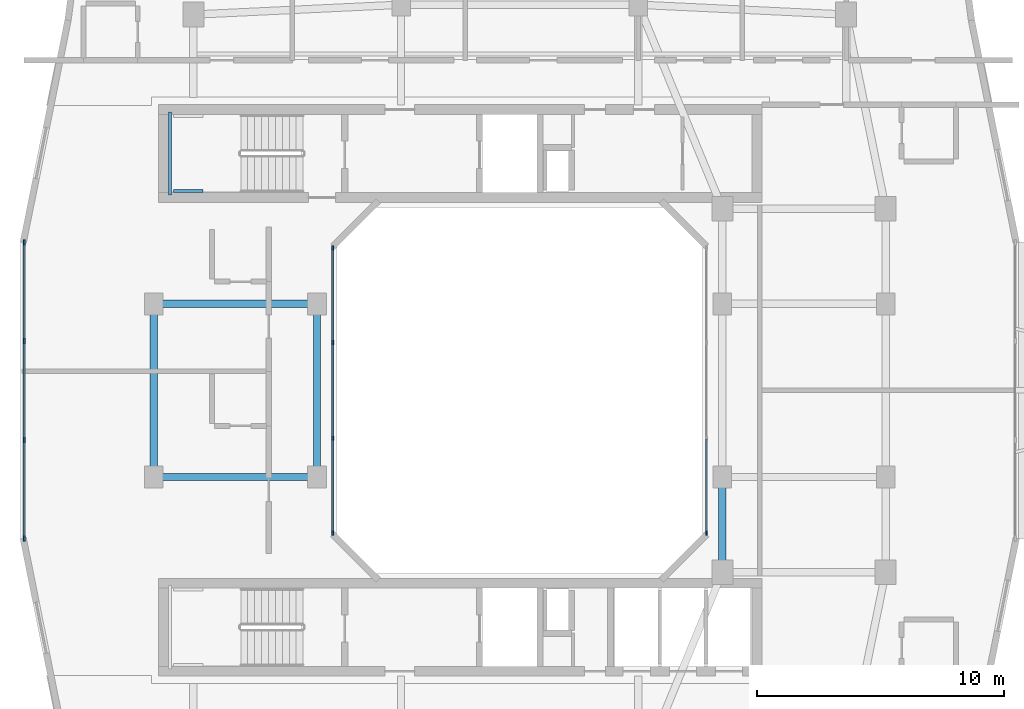
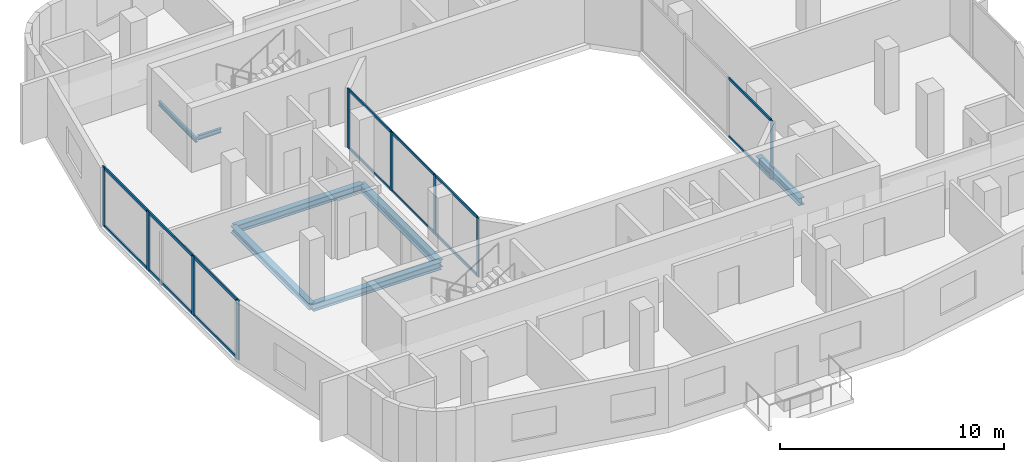
# One storey, part 2 of 12: 23 members, 7 beams, 3 elements without a shape of their own.
"""IFC4 building model written with IfcOpenShell, lengths in metres."""

from ifc_helpers import new_model, si_unit, derived_unit, direction, frame, origin, origin_2d, place, context, subcontext, project, spatial, rectangle, i_section, extrude, material, layer, layer_set, material_profile, profile_set, type_object, element, aggregate, save


model = new_model("IFC4")

# Units and contexts
model_context = context("Model", 3, precision=1e-05, world=origin(), true_north=direction((0.0, 1.0)))
body_context = subcontext(model_context, "Body", "Model", "MODEL_VIEW")
ifc_project = project(units=[si_unit("LENGTHUNIT", "METRE"), si_unit("AREAUNIT", "SQUARE_METRE"), si_unit("VOLUMEUNIT", "CUBIC_METRE"), si_unit("PLANEANGLEUNIT", "RADIAN"), si_unit("MASSUNIT", "GRAM", prefix="KILO"), derived_unit("THERMALTRANSMITTANCEUNIT", [(si_unit("POWERUNIT", "WATT"), 1), (si_unit("LENGTHUNIT", "METRE"), -2), (si_unit("THERMODYNAMICTEMPERATUREUNIT", "KELVIN"), -1)])], contexts=[model_context])

# Site, building, storey
site_placement = place(None, origin())
site = spatial("IfcSite", under=ifc_project, at=site_placement, CompositionType="ELEMENT")
building_placement = place(site_placement, origin())
building = spatial("IfcBuilding", under=site, at=building_placement, Name="Kivonza Crest Hotel", CompositionType="ELEMENT")
storey_placement = place(building_placement, frame((0.0, 0.0, 166.0)))
storey = spatial("IfcBuildingStorey", under=building, at=storey_placement, Name="L45", CompositionType="ELEMENT", Elevation=166.0)

# Beams
ifc_material_1 = material(Name="Steel S355", Category="steel")
ifc_material_profile_1 = material_profile(ifc_material_1, i_section(OverallWidth=0.300048828125, OverallDepth=0.360107421875, WebThickness=0.012451171875, FlangeThickness=0.0224609375, FilletRadius=0.027099609375, at=origin_2d()), Name="HEB 360")
ifc_profile_set_1 = profile_set([ifc_material_profile_1], Name="Steel S355")
beam_type_1 = type_object("IfcBeamType", Name="BM-HEB360", PredefinedType="SPANDREL", material=ifc_profile_set_1)
beam_1_placement = place(storey_placement, frame((6.199951171875, 28.5, -0.4599609375), z_axis=(0.0, -1.0, 0.0), x_axis=(1.0, 0.0, 0.0)))
element("IfcBeam", 1, at=beam_1_placement, inside=storey, type_object=beam_type_1, Name="Tower T1 L45 perimeter spandrel W2-W1", PredefinedType="SPANDREL", context=body_context, shape_type="SweptSolid", body=[
    extrude(i_section(OverallWidth=0.300048828125, OverallDepth=0.360107421875, WebThickness=0.012451171875, FlangeThickness=0.0224609375, FilletRadius=0.027099609375, at=origin_2d()), origin(), (0.0, 0.0, 1.0), 7.0),
])
ifc_material_profile_2 = material_profile(ifc_material_1, i_section(OverallWidth=0.300048828125, OverallDepth=0.39990234375, WebThickness=0.013427734375, FlangeThickness=0.02392578125, FilletRadius=0.027099609375, at=origin_2d()), Name="HEB 400")
ifc_profile_set_2 = profile_set([ifc_material_profile_2], Name="Steel S355")
beam_type_2 = type_object("IfcBeamType", Name="BM-HEB400", PredefinedType="BEAM", material=ifc_profile_set_2)
for number, where, z_axis, x_axis, name in (
    (2, (6.199951171875, 21.5, -0.47998046875), (1.0, 0.0, 0.0), (0.0, 1.0, 0.0), "Tower T1 L45 primary girder W1-WL1"),
    (3, (6.199951171875, 28.5, -0.47998046875), (1.0, 0.0, 0.0), (0.0, 1.0, 0.0), "Tower T1 L45 primary girder W2-WL2"),
):
    element("IfcBeam", number, at=place(storey_placement, frame(where, z_axis=z_axis, x_axis=x_axis)), inside=storey, type_object=beam_type_2, Name=name, PredefinedType="BEAM", context=body_context, shape_type="SweptSolid", body=[
        extrude(i_section(OverallWidth=0.300048828125, OverallDepth=0.39990234375, WebThickness=0.013427734375, FlangeThickness=0.02392578125, FilletRadius=0.027099609375, at=origin_2d()), origin(), (0.0, 0.0, 1.0), 6.60009765625),
    ])
beam_2_placement = place(storey_placement, frame((12.800048828125, 21.5, -0.47998046875), z_axis=(0.0, 1.0, 0.0), x_axis=(-1.0, 0.0, 0.0)))
element("IfcBeam", 4, at=beam_2_placement, inside=storey, type_object=beam_type_2, Name="Tower T1 L45 primary girder WL1-WL2", PredefinedType="BEAM", context=body_context, shape_type="SweptSolid", body=[
    extrude(i_section(OverallWidth=0.300048828125, OverallDepth=0.39990234375, WebThickness=0.013427734375, FlangeThickness=0.02392578125, FilletRadius=0.027099609375, at=origin_2d()), origin(), (0.0, 0.0, 1.0), 7.0),
])
beam_3_placement = place(storey_placement, frame((29.199951171875, 17.64990234375, -0.47998046875), z_axis=(0.0, 1.0, 0.0), x_axis=(-1.0, 0.0, 0.0)))
element("IfcBeam", 5, at=beam_3_placement, inside=storey, type_object=beam_type_2, Name="Tower T1 L45 primary girder TSE-WR1", PredefinedType="BEAM", context=body_context, shape_type="SweptSolid", body=[
    extrude(i_section(OverallWidth=0.300048828125, OverallDepth=0.39990234375, WebThickness=0.013427734375, FlangeThickness=0.02392578125, FilletRadius=0.027099609375, at=origin_2d()), origin(), (0.0, 0.0, 1.0), 3.85009765625),
])
ifc_material_profile_3 = material_profile(ifc_material_1, i_section(OverallWidth=0.1201171875, OverallDepth=0.239990234375, WebThickness=0.006103515625, FlangeThickness=0.009765625, FilletRadius=0.014892578125, at=origin_2d()), Name="IPE 240")
ifc_profile_set_3 = profile_set([ifc_material_profile_3], Name="Steel S355")
beam_type_3 = type_object("IfcBeamType", Name="BM-LLDG-240", PredefinedType="BEAM", material=ifc_profile_set_3)
beam_4_placement = place(storey_placement, frame((6.860107421875, 32.89990234375, 1.429931640625), z_axis=(0.0, 1.0, 0.0), x_axis=(-1.0, 0.0, 0.0)))
element("IfcBeam", 6, at=beam_4_placement, inside=storey, type_object=beam_type_3, Name="Stair ST-T1-N L45 West landing corbel", PredefinedType="BEAM", context=body_context, shape_type="SweptSolid", body=[
    extrude(i_section(OverallWidth=0.1201171875, OverallDepth=0.239990234375, WebThickness=0.006103515625, FlangeThickness=0.009765625, FilletRadius=0.014892578125, at=origin_2d()), origin(), (0.0, 0.0, 1.0), 3.360107421875),
])
beam_5_placement = place(storey_placement, frame((6.989990234375, 33.06005859375, 1.429931640625), z_axis=(1.0, 0.0, 0.0), x_axis=(0.0, 1.0, 0.0)))
element("IfcBeam", 7, at=beam_5_placement, inside=storey, type_object=beam_type_3, Name="Stair ST-T1-N L45 South landing corbel", PredefinedType="BEAM", context=body_context, shape_type="SweptSolid", body=[
    extrude(i_section(OverallWidth=0.1201171875, OverallDepth=0.239990234375, WebThickness=0.006103515625, FlangeThickness=0.009765625, FilletRadius=0.014892578125, at=origin_2d()), origin(), (0.0, 0.0, 1.0), 1.2099609375),
])

# Curtain wall, member
ifc_material_2 = material(Name="Anodised bronze aluminium and low-E double glazing", Category="aluminium")
ifc_layer_1 = layer(ifc_material_2, 0.159912109375)
ifc_layer_set_1 = layer_set([ifc_layer_1], Name="Anodised bronze aluminium and low-E double glazing")
curtain_wall_type_1 = type_object("IfcCurtainWallType", Name="CW-SYS-5", PredefinedType="NOTDEFINED", material=ifc_layer_set_1)
curtain_wall_1_placement = place(storey_placement, origin())
curtain_wall_1 = element("IfcCurtainWall", 8, at=curtain_wall_1_placement, inside=storey, type_object=curtain_wall_type_1, Name="L45 unitised curtain wall CW-WELL-T1-L45-3", PredefinedType="NOTDEFINED")
ifc_material_3 = material(Name="Anodised bronze aluminium", Category="aluminium")
ifc_material_profile_4 = material_profile(ifc_material_3, rectangle(XDim=0.06494140625, YDim=0.179931640625, at=origin_2d()), Name="CW-M 65x180")
ifc_profile_set_4 = profile_set([ifc_material_profile_4], Name="Anodised bronze aluminium")
member_type_1 = type_object("IfcMemberType", Name="CW-MUL-65x180", PredefinedType="MULLION", material=ifc_profile_set_4)
member_1_placement = place(storey_placement, frame((28.56005859375, 19.232421875, 0.0), z_axis=(0.0, 0.0, 1.0), x_axis=(-1.0, 0.0, 0.0)))
member_1 = element("IfcMember", 9, at=member_1_placement, type_object=member_type_1, Name="CW-5 mullion 1", PredefinedType="MULLION", context=body_context, shape_type="SweptSolid", body=[
    extrude(rectangle(XDim=0.06494140625, YDim=0.179931640625, at=origin_2d()), origin(), (0.0, 0.0, 1.0), 3.219970703125),
])

# Curtain wall, members
curtain_wall_2_placement = place(storey_placement, origin())
curtain_wall_2 = element("IfcCurtainWall", 10, at=curtain_wall_2_placement, inside=storey, type_object=curtain_wall_type_1, Name="L45 unitised curtain wall CW-WELL-T1-L45-7", PredefinedType="NOTDEFINED")
member_2_placement = place(storey_placement, frame((13.43994140625, 30.767578125, 0.0), z_axis=(0.0, 0.0, 1.0), x_axis=(1.0, 0.0, 0.0)))
member_2 = element("IfcMember", 11, at=member_2_placement, type_object=member_type_1, Name="CW-5 mullion 1", PredefinedType="MULLION", context=body_context, shape_type="SweptSolid", body=[
    extrude(rectangle(XDim=0.06494140625, YDim=0.179931640625, at=origin_2d()), origin(), (0.0, 0.0, 1.0), 3.219970703125),
])
member_3_placement = place(storey_placement, frame((13.43994140625, 26.933349609375, 0.0), z_axis=(0.0, 0.0, 1.0), x_axis=(1.0, 0.0, 0.0)))
member_3 = element("IfcMember", 12, at=member_3_placement, type_object=member_type_1, Name="CW-5 mullion 2", PredefinedType="MULLION", context=body_context, shape_type="SweptSolid", body=[
    extrude(rectangle(XDim=0.06494140625, YDim=0.179931640625, at=origin_2d()), origin(), (0.0, 0.0, 1.0), 3.219970703125),
])
member_4_placement = place(storey_placement, frame((13.43994140625, 23.066650390625, 0.0), z_axis=(0.0, 0.0, 1.0), x_axis=(1.0, 0.0, 0.0)))
member_4 = element("IfcMember", 13, at=member_4_placement, type_object=member_type_1, Name="CW-5 mullion 3", PredefinedType="MULLION", context=body_context, shape_type="SweptSolid", body=[
    extrude(rectangle(XDim=0.06494140625, YDim=0.179931640625, at=origin_2d()), origin(), (0.0, 0.0, 1.0), 3.219970703125),
])
member_5_placement = place(storey_placement, frame((13.43994140625, 19.232421875, 0.0), z_axis=(0.0, 0.0, 1.0), x_axis=(1.0, 0.0, 0.0)))
member_5 = element("IfcMember", 14, at=member_5_placement, type_object=member_type_1, Name="CW-5 mullion 4", PredefinedType="MULLION", context=body_context, shape_type="SweptSolid", body=[
    extrude(rectangle(XDim=0.06494140625, YDim=0.179931640625, at=origin_2d()), origin(), (0.0, 0.0, 1.0), 3.219970703125),
])

ifc_layer_2 = layer(ifc_material_2, 0.179931640625)
ifc_layer_set_2 = layer_set([ifc_layer_2], Name="Anodised bronze aluminium and low-E double glazing")
curtain_wall_type_2 = type_object("IfcCurtainWallType", Name="CW-SYS-3", PredefinedType="NOTDEFINED", material=ifc_layer_set_2)
curtain_wall_3_placement = place(storey_placement, origin())
curtain_wall_3 = element("IfcCurtainWall", 15, at=curtain_wall_3_placement, inside=storey, type_object=curtain_wall_type_2, Name="L45 unitised curtain wall CW-T1-L45-35", PredefinedType="NOTDEFINED")
ifc_material_profile_5 = material_profile(ifc_material_3, rectangle(XDim=0.074951171875, YDim=0.219970703125, at=origin_2d()), Name="CW-M 75x220")
ifc_profile_set_5 = profile_set([ifc_material_profile_5], Name="Anodised bronze aluminium")
member_type_2 = type_object("IfcMemberType", Name="CW-MUL-75x220", PredefinedType="MULLION", material=ifc_profile_set_5)
member_6_placement = place(storey_placement, frame((0.9599609375, 30.982421875, 0.0), z_axis=(0.0, 0.0, 1.0), x_axis=(1.0, 0.0, 0.0)))
member_6 = element("IfcMember", 16, at=member_6_placement, type_object=member_type_2, Name="CW-3 mullion 1", PredefinedType="MULLION", context=body_context, shape_type="SweptSolid", body=[
    extrude(rectangle(XDim=0.074951171875, YDim=0.219970703125, at=origin_2d()), origin(), (0.0, 0.0, 1.0), 3.219970703125),
])
member_7_placement = place(storey_placement, frame((0.9599609375, 27.006591796875, 0.0), z_axis=(0.0, 0.0, 1.0), x_axis=(1.0, 0.0, 0.0)))
member_7 = element("IfcMember", 17, at=member_7_placement, type_object=member_type_2, Name="CW-3 mullion 2", PredefinedType="MULLION", context=body_context, shape_type="SweptSolid", body=[
    extrude(rectangle(XDim=0.074951171875, YDim=0.219970703125, at=origin_2d()), origin(), (0.0, 0.0, 1.0), 3.219970703125),
])
member_8_placement = place(storey_placement, frame((0.9599609375, 22.993408203125, 0.0), z_axis=(0.0, 0.0, 1.0), x_axis=(1.0, 0.0, 0.0)))
member_8 = element("IfcMember", 18, at=member_8_placement, type_object=member_type_2, Name="CW-3 mullion 3", PredefinedType="MULLION", context=body_context, shape_type="SweptSolid", body=[
    extrude(rectangle(XDim=0.074951171875, YDim=0.219970703125, at=origin_2d()), origin(), (0.0, 0.0, 1.0), 3.219970703125),
])
member_9_placement = place(storey_placement, frame((0.9599609375, 19.017578125, 0.0), z_axis=(0.0, 0.0, 1.0), x_axis=(1.0, 0.0, 0.0)))
member_9 = element("IfcMember", 19, at=member_9_placement, type_object=member_type_2, Name="CW-3 mullion 4", PredefinedType="MULLION", context=body_context, shape_type="SweptSolid", body=[
    extrude(rectangle(XDim=0.074951171875, YDim=0.219970703125, at=origin_2d()), origin(), (0.0, 0.0, 1.0), 3.219970703125),
])

# Member
ifc_material_profile_6 = material_profile(ifc_material_3, rectangle(XDim=0.06494140625, YDim=0.139892578125, at=origin_2d()), Name="CW-T 65x140")
ifc_profile_set_6 = profile_set([ifc_material_profile_6], Name="Anodised bronze aluminium")
member_type_3 = type_object("IfcMemberType", Name="CW-TRN-65x140", PredefinedType="USERDEFINED", material=ifc_profile_set_6)
member_10_placement = place(storey_placement, frame((28.56005859375, 19.264892578125, 0.032470703125), z_axis=(0.0, 1.0, 0.0), x_axis=(-1.0, 0.0, 0.0)))
member_10 = element("IfcMember", 20, at=member_10_placement, type_object=member_type_3, Name="CW-5 transom 1.1", ObjectType="TRANSOM", PredefinedType="USERDEFINED", context=body_context, shape_type="SweptSolid", body=[
    extrude(rectangle(XDim=0.06494140625, YDim=0.139892578125, at=origin_2d()), origin(), (0.0, 0.0, 1.0), 3.769287109375),
])

member_11_placement = place(storey_placement, frame((28.56005859375, 19.264892578125, 3.1875), z_axis=(0.0, 1.0, 0.0), x_axis=(-1.0, 0.0, 0.0)))
member_11 = element("IfcMember", 21, at=member_11_placement, type_object=member_type_3, Name="CW-5 transom 1.2", ObjectType="TRANSOM", PredefinedType="USERDEFINED", context=body_context, shape_type="SweptSolid", body=[
    extrude(rectangle(XDim=0.06494140625, YDim=0.139892578125, at=origin_2d()), origin(), (0.0, 0.0, 1.0), 3.769287109375),
])

aggregate(curtain_wall_1, [member_1, member_10, member_11])

member_12_placement = place(storey_placement, frame((13.43994140625, 30.735107421875, 0.032470703125), z_axis=(0.0, -1.0, 0.0), x_axis=(1.0, 0.0, 0.0)))
member_12 = element("IfcMember", 22, at=member_12_placement, type_object=member_type_3, Name="CW-5 transom 1.1", ObjectType="TRANSOM", PredefinedType="USERDEFINED", context=body_context, shape_type="SweptSolid", body=[
    extrude(rectangle(XDim=0.06494140625, YDim=0.139892578125, at=origin_2d()), origin(), (0.0, 0.0, 1.0), 3.769287109375),
])

member_13_placement = place(storey_placement, frame((13.43994140625, 30.735107421875, 3.1875), z_axis=(0.0, -1.0, 0.0), x_axis=(1.0, 0.0, 0.0)))
member_13 = element("IfcMember", 23, at=member_13_placement, type_object=member_type_3, Name="CW-5 transom 1.2", ObjectType="TRANSOM", PredefinedType="USERDEFINED", context=body_context, shape_type="SweptSolid", body=[
    extrude(rectangle(XDim=0.06494140625, YDim=0.139892578125, at=origin_2d()), origin(), (0.0, 0.0, 1.0), 3.769287109375),
])

member_14_placement = place(storey_placement, frame((13.43994140625, 26.90087890625, 0.032470703125), z_axis=(0.0, -1.0, 0.0), x_axis=(1.0, 0.0, 0.0)))
member_14 = element("IfcMember", 24, at=member_14_placement, type_object=member_type_3, Name="CW-5 transom 2.1", ObjectType="TRANSOM", PredefinedType="USERDEFINED", context=body_context, shape_type="SweptSolid", body=[
    extrude(rectangle(XDim=0.06494140625, YDim=0.139892578125, at=origin_2d()), origin(), (0.0, 0.0, 1.0), 3.8017578125),
])

member_15_placement = place(storey_placement, frame((13.43994140625, 26.90087890625, 3.1875), z_axis=(0.0, -1.0, 0.0), x_axis=(1.0, 0.0, 0.0)))
member_15 = element("IfcMember", 25, at=member_15_placement, type_object=member_type_3, Name="CW-5 transom 2.2", ObjectType="TRANSOM", PredefinedType="USERDEFINED", context=body_context, shape_type="SweptSolid", body=[
    extrude(rectangle(XDim=0.06494140625, YDim=0.139892578125, at=origin_2d()), origin(), (0.0, 0.0, 1.0), 3.8017578125),
])

member_16_placement = place(storey_placement, frame((13.43994140625, 23.0341796875, 0.032470703125), z_axis=(0.0, -1.0, 0.0), x_axis=(1.0, 0.0, 0.0)))
member_16 = element("IfcMember", 26, at=member_16_placement, type_object=member_type_3, Name="CW-5 transom 3.1", ObjectType="TRANSOM", PredefinedType="USERDEFINED", context=body_context, shape_type="SweptSolid", body=[
    extrude(rectangle(XDim=0.06494140625, YDim=0.139892578125, at=origin_2d()), origin(), (0.0, 0.0, 1.0), 3.769287109375),
])

member_17_placement = place(storey_placement, frame((13.43994140625, 23.0341796875, 3.1875), z_axis=(0.0, -1.0, 0.0), x_axis=(1.0, 0.0, 0.0)))
member_17 = element("IfcMember", 27, at=member_17_placement, type_object=member_type_3, Name="CW-5 transom 3.2", ObjectType="TRANSOM", PredefinedType="USERDEFINED", context=body_context, shape_type="SweptSolid", body=[
    extrude(rectangle(XDim=0.06494140625, YDim=0.139892578125, at=origin_2d()), origin(), (0.0, 0.0, 1.0), 3.769287109375),
])

aggregate(curtain_wall_2, [member_2, member_3, member_4, member_5, member_12, member_13, member_14, member_15, member_16, member_17])

ifc_material_profile_7 = material_profile(ifc_material_3, rectangle(XDim=0.074951171875, YDim=0.159912109375, at=origin_2d()), Name="CW-T 75x160")
ifc_profile_set_7 = profile_set([ifc_material_profile_7], Name="Anodised bronze aluminium")
member_type_4 = type_object("IfcMemberType", Name="CW-TRN-75x160", PredefinedType="USERDEFINED", material=ifc_profile_set_7)
member_18_placement = place(storey_placement, frame((0.9599609375, 30.945068359375, 0.03759765625), z_axis=(0.0, -1.0, 0.0), x_axis=(1.0, 0.0, 0.0)))
member_18 = element("IfcMember", 28, at=member_18_placement, type_object=member_type_4, Name="CW-3 transom 1.1", ObjectType="TRANSOM", PredefinedType="USERDEFINED", context=body_context, shape_type="SweptSolid", body=[
    extrude(rectangle(XDim=0.074951171875, YDim=0.159912109375, at=origin_2d()), origin(), (0.0, 0.0, 1.0), 3.90087890625),
])

member_19_placement = place(storey_placement, frame((0.9599609375, 30.945068359375, 3.1826171875), z_axis=(0.0, -1.0, 0.0), x_axis=(1.0, 0.0, 0.0)))
member_19 = element("IfcMember", 29, at=member_19_placement, type_object=member_type_4, Name="CW-3 transom 1.2", ObjectType="TRANSOM", PredefinedType="USERDEFINED", context=body_context, shape_type="SweptSolid", body=[
    extrude(rectangle(XDim=0.074951171875, YDim=0.159912109375, at=origin_2d()), origin(), (0.0, 0.0, 1.0), 3.90087890625),
])

member_20_placement = place(storey_placement, frame((0.9599609375, 26.96923828125, 0.03759765625), z_axis=(0.0, -1.0, 0.0), x_axis=(1.0, 0.0, 0.0)))
member_20 = element("IfcMember", 30, at=member_20_placement, type_object=member_type_4, Name="CW-3 transom 2.1", ObjectType="TRANSOM", PredefinedType="USERDEFINED", context=body_context, shape_type="SweptSolid", body=[
    extrude(rectangle(XDim=0.074951171875, YDim=0.159912109375, at=origin_2d()), origin(), (0.0, 0.0, 1.0), 3.9384765625),
])

member_21_placement = place(storey_placement, frame((0.9599609375, 26.96923828125, 3.1826171875), z_axis=(0.0, -1.0, 0.0), x_axis=(1.0, 0.0, 0.0)))
member_21 = element("IfcMember", 31, at=member_21_placement, type_object=member_type_4, Name="CW-3 transom 2.2", ObjectType="TRANSOM", PredefinedType="USERDEFINED", context=body_context, shape_type="SweptSolid", body=[
    extrude(rectangle(XDim=0.074951171875, YDim=0.159912109375, at=origin_2d()), origin(), (0.0, 0.0, 1.0), 3.9384765625),
])

member_22_placement = place(storey_placement, frame((0.9599609375, 22.955810546875, 0.03759765625), z_axis=(0.0, -1.0, 0.0), x_axis=(1.0, 0.0, 0.0)))
member_22 = element("IfcMember", 32, at=member_22_placement, type_object=member_type_4, Name="CW-3 transom 3.1", ObjectType="TRANSOM", PredefinedType="USERDEFINED", context=body_context, shape_type="SweptSolid", body=[
    extrude(rectangle(XDim=0.074951171875, YDim=0.159912109375, at=origin_2d()), origin(), (0.0, 0.0, 1.0), 3.90087890625),
])

member_23_placement = place(storey_placement, frame((0.9599609375, 22.955810546875, 3.1826171875), z_axis=(0.0, -1.0, 0.0), x_axis=(1.0, 0.0, 0.0)))
member_23 = element("IfcMember", 33, at=member_23_placement, type_object=member_type_4, Name="CW-3 transom 3.2", ObjectType="TRANSOM", PredefinedType="USERDEFINED", context=body_context, shape_type="SweptSolid", body=[
    extrude(rectangle(XDim=0.074951171875, YDim=0.159912109375, at=origin_2d()), origin(), (0.0, 0.0, 1.0), 3.90087890625),
])

aggregate(curtain_wall_3, [member_6, member_7, member_8, member_9, member_18, member_19, member_20, member_21, member_22, member_23])

save(model, "model.ifc")
